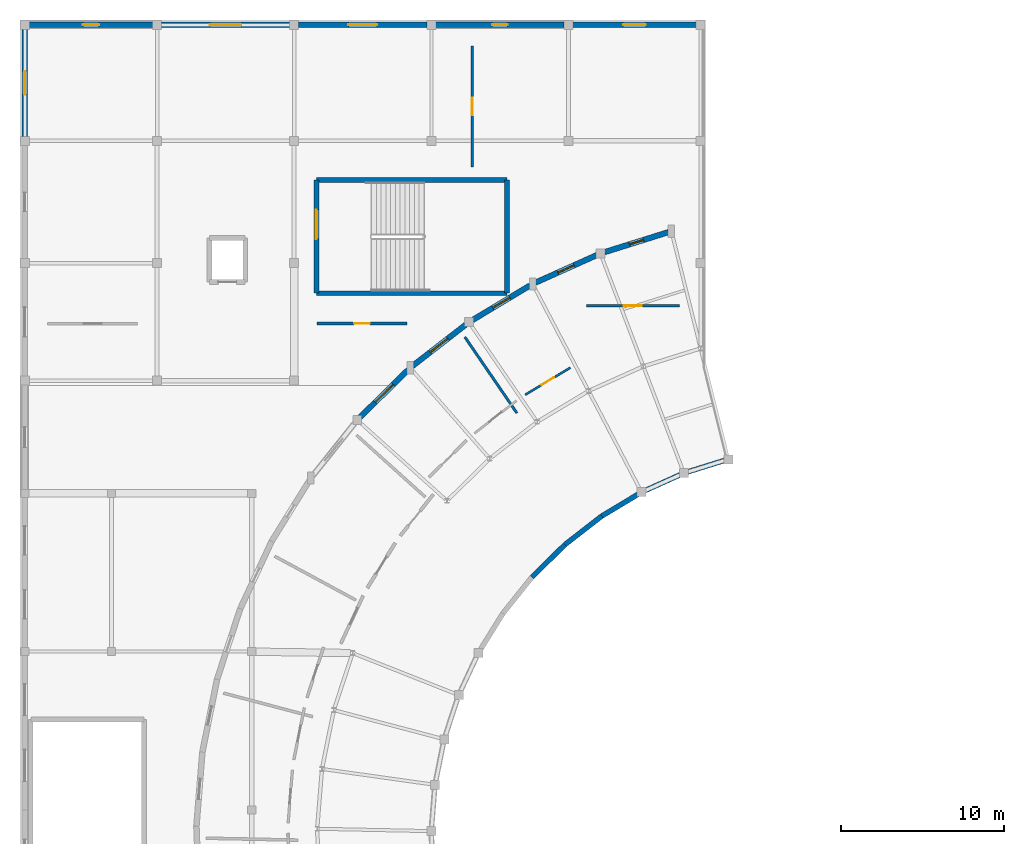
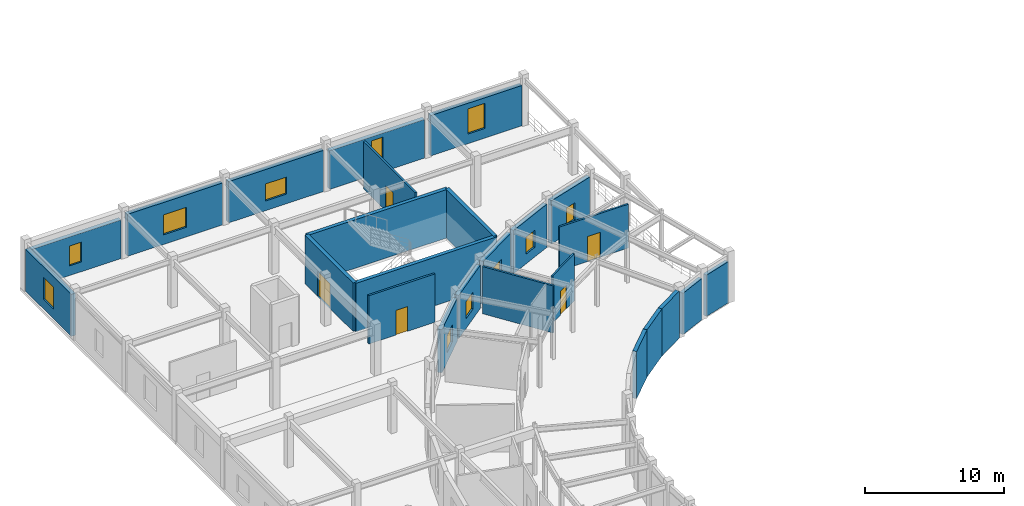
# One storey, part 43 of 60: 25 walls, 11 windows, 5 doors, 16 openings.
"""IFC4 building model written with IfcOpenShell, lengths in metres."""

from ifc_helpers import new_model, si_unit, direction, frame, frame_2d, origin, place, context, subcontext, project, spatial, rectangle, extrude, material, layer, layer_set, type_object, element, fill, save


model = new_model("IFC4")

# Units and contexts
model_context = context("Model", 3, precision=1e-05, world=origin(), true_north=direction((0.0, 1.0)))
body_context = subcontext(model_context, "Body", "Model", "MODEL_VIEW")
ifc_project = project(units=[si_unit("LENGTHUNIT", "METRE"), si_unit("AREAUNIT", "SQUARE_METRE"), si_unit("VOLUMEUNIT", "CUBIC_METRE"), si_unit("PLANEANGLEUNIT", "RADIAN"), si_unit("MASSUNIT", "GRAM", prefix="KILO")], contexts=[model_context])

# Site, building, storey
site_placement = place(None, origin())
site = spatial("IfcSite", under=ifc_project, at=site_placement, CompositionType="ELEMENT")
building_placement = place(site_placement, origin())
building = spatial("IfcBuilding", under=site, at=building_placement, Name="Cinderbank Siding Concert Hall", CompositionType="ELEMENT")
storey_placement = place(building_placement, frame((0.0, 0.0, 14.699951171875)))
storey = spatial("IfcBuildingStorey", under=building, at=storey_placement, Name="L04", CompositionType="ELEMENT", Elevation=14.699951171875)

# Wall, opening, door
ifc_material_1 = material(Name="Reinforced concrete AS 3600 N50 (50 MPa)", Category="concrete")
ifc_layer_1 = layer(ifc_material_1, 0.300048828125)
ifc_layer_set_1 = layer_set([ifc_layer_1], Name="Reinforced concrete AS 3600 N50 (50 MPa)")
wall_type_1 = type_object("IfcWallType", Name="WL-03 Structural Wall 300mm", PredefinedType="SHEAR", material=ifc_layer_set_1)
wall_1_placement = place(storey_placement, frame((24.9599609375, 101.4599609375, 0.0), z_axis=(0.0, 0.0, 1.0), x_axis=(0.0, 1.0, 0.0)))
wall_1 = element("IfcWall", 1, at=wall_1_placement, inside=storey, type_object=wall_type_1, Name="L04 ST-05 Core Wall ENTRY", PredefinedType="SHEAR", context=body_context, shape_type="SweptSolid", body=[
    extrude(rectangle(XDim=6.93994140625, YDim=0.300048828125, at=frame_2d((3.469970703125, 0.0))), origin(), (0.0, 0.0, 1.0), 4.260009765625),
])
opening_1_placement = place(wall_1_placement, frame((3.320068359375, 0.0, 0.0)))
opening_1 = element("IfcOpeningElement", 2, at=opening_1_placement, cuts=wall_1, Name="Opening D-05", PredefinedType="OPENING", context=body_context, shape_type="SweptSolid", body=[
    extrude(rectangle(XDim=1.800048828125, YDim=2.199951171875, at=frame_2d((0.89990234375, 1.10009765625))), frame((0.0, 0.162109375, 0.0), z_axis=(0.0, -1.0, 0.0), x_axis=(1.0, 0.0, 0.0)), (0.0, 0.0, 1.0), 0.323974609375),
])
ifc_material_2 = material(Name="Galvanised sheet steel acoustic fire door assembly", Category="steel")
door_type_1 = type_object("IfcDoorType", Name="D-05 Interior Door 1800x2200", OperationType="DOUBLE_DOOR_SINGLE_SWING", PredefinedType="DOOR", material=ifc_material_2)
door_1_placement = place(opening_1_placement, origin())
door_1 = element("IfcDoor", 3, at=door_1_placement, inside=storey, type_object=door_type_1, Name="L04 ST-05 Fire Stair Door L04-D033", OperationType="DOUBLE_DOOR_SINGLE_SWING", OverallHeight=2.199951171875, OverallWidth=1.800048828125, PredefinedType="DOOR", context=body_context, shape_type="SweptSolid", body=[
    extrude(rectangle(XDim=1.800048828125, YDim=2.199951171875, at=frame_2d((0.89990234375, 1.10009765625))), frame((0.0, 0.02490234375, 0.0), z_axis=(0.0, -1.0, 0.0), x_axis=(1.0, 0.0, 0.0)), (0.0, 0.0, 1.0), 0.050048828125),
])
fill(opening_1, door_1)

# Walls
wall_2_placement = place(storey_placement, frame((36.639892578125, 108.39990234375, 0.0), z_axis=(0.0, 0.0, 1.0), x_axis=(0.0, -1.0, 0.0)))
element("IfcWall", 4, at=wall_2_placement, inside=storey, type_object=wall_type_1, Name="L04 ST-05 Core Wall FAR", PredefinedType="SHEAR", context=body_context, shape_type="SweptSolid", body=[
    extrude(rectangle(XDim=6.93994140625, YDim=0.300048828125, at=frame_2d((3.469970703125, 0.0))), origin(), (0.0, 0.0, 1.0), 4.260009765625),
])
for number, where, z_axis, x_axis, name in (
    (5, (36.639892578125, 101.4599609375, 0.0), (0.0, 0.0, 1.0), (-1.0, 0.0, 0.0), "L04 ST-05 Core Wall SIDE1"),
    (6, (24.9599609375, 108.39990234375, 0.0), (0.0, 0.0, 1.0), (1.0, 0.0, 0.0), "L04 ST-05 Core Wall SIDE2"),
):
    element("IfcWall", number, at=place(storey_placement, frame(where, z_axis=z_axis, x_axis=x_axis)), inside=storey, type_object=wall_type_1, Name=name, PredefinedType="SHEAR", context=body_context, shape_type="SweptSolid", body=[
        extrude(rectangle(XDim=11.679931640625, YDim=0.300048828125, at=frame_2d((5.83984375, 0.0))), origin(), (0.0, 0.0, 1.0), 4.260009765625),
    ])

# Wall, opening, window
ifc_material_3 = material(Name="Clinker clay brickwork masonry AS 3700 (20 MPa)", Category="masonry")
ifc_layer_2 = layer(ifc_material_3, 0.340087890625)
ifc_layer_set_2 = layer_set([ifc_layer_2], Name="Clinker clay brickwork masonry AS 3700 (20 MPa)")
wall_type_2 = type_object("IfcWallType", Name="WL-07 Exterior Wall 340mm", PredefinedType="STANDARD", material=ifc_layer_set_2)
wall_3_placement = place(storey_placement, frame((46.53369140625, 105.2041015625, 0.0), z_axis=(0.0, 0.0, 1.0), x_axis=(-0.954237600376, -0.299049497622, 0.0)))
wall_3 = element("IfcWall", 7, at=wall_3_placement, inside=storey, type_object=wall_type_2, Name="L04 Facade Wall EW-WOUT-L04-01", PredefinedType="STANDARD", context=body_context, shape_type="SweptSolid", body=[
    extrude(rectangle(XDim=4.109619140625, YDim=0.340087890625, at=frame_2d((2.0546875, 0.0))), origin(), (0.0, 0.0, 1.0), 3.797119140625),
])
opening_2_placement = place(wall_3_placement, frame((1.60498046875, 0.0, 0.85009765625)))
opening_2 = element("IfcOpeningElement", 8, at=opening_2_placement, cuts=wall_3, Name="Opening WN-25", PredefinedType="OPENING", context=body_context, shape_type="SweptSolid", body=[
    extrude(rectangle(XDim=0.89990234375, YDim=1.5, at=frame_2d((0.449951171875, 0.75))), frame((0.0, 0.18212890625, 0.0), z_axis=(0.0, -1.0, 0.0), x_axis=(1.0, 0.0, 0.0)), (0.0, 0.0, 1.0), 0.364013671875),
])
ifc_material_4 = material(Name="Double-glazed laminated acoustic glass", Category="glass")
window_type_1 = type_object("IfcWindowType", Name="WN-25 Acoustic Casement Window 900x1500", PartitioningType="DOUBLE_PANEL_VERTICAL", PredefinedType="WINDOW", material=ifc_material_4)
window_1_placement = place(opening_2_placement, origin())
window_1 = element("IfcWindow", 9, at=window_1_placement, inside=storey, type_object=window_type_1, Name="L04 Facade Window #41", OverallHeight=1.5, OverallWidth=0.89990234375, PartitioningType="DOUBLE_PANEL_VERTICAL", PredefinedType="WINDOW", context=body_context, shape_type="SweptSolid", body=[
    extrude(rectangle(XDim=0.89990234375, YDim=1.5, at=frame_2d((0.449951171875, 0.75))), frame((0.0, 0.030029296875, 0.0), z_axis=(0.0, -1.0, 0.0), x_axis=(1.0, 0.0, 0.0)), (0.0, 0.0, 1.0), 0.06005859375),
])
fill(opening_2, window_1)

wall_4_placement = place(storey_placement, frame((42.126708984375, 103.790771484375, 0.0), z_axis=(0.0, 0.0, 1.0), x_axis=(-0.912105926967, -0.409954604794, 0.0)))
wall_4 = element("IfcWall", 10, at=wall_4_placement, inside=storey, type_object=wall_type_2, Name="L04 Facade Wall EW-WOUT-L04-02", PredefinedType="STANDARD", context=body_context, shape_type="SweptSolid", body=[
    extrude(rectangle(XDim=4.10986328125, YDim=0.340087890625, at=frame_2d((2.054931640625, 0.0))), origin(), (0.0, 0.0, 1.0), 3.797119140625),
])
opening_3_placement = place(wall_4_placement, frame((1.514892578125, 0.0, 0.85009765625)))
opening_3 = element("IfcOpeningElement", 11, at=opening_3_placement, cuts=wall_4, Name="Opening WN-26", PredefinedType="OPENING", context=body_context, shape_type="SweptSolid", body=[
    extrude(rectangle(XDim=1.080078125, YDim=1.5, at=frame_2d((0.5400390625, 0.75))), frame((0.0, 0.18212890625, 0.0), z_axis=(0.0, -1.0, 0.0), x_axis=(1.0, 0.0, 0.0)), (0.0, 0.0, 1.0), 0.364013671875),
])
window_type_2 = type_object("IfcWindowType", Name="WN-26 Acoustic Casement Window 1080x1500", PartitioningType="DOUBLE_PANEL_VERTICAL", PredefinedType="WINDOW", material=ifc_material_4)
window_2_placement = place(opening_3_placement, origin())
window_2 = element("IfcWindow", 12, at=window_2_placement, inside=storey, type_object=window_type_2, Name="L04 Facade Window #42", OverallHeight=1.5, OverallWidth=1.080078125, PartitioningType="DOUBLE_PANEL_VERTICAL", PredefinedType="WINDOW", context=body_context, shape_type="SweptSolid", body=[
    extrude(rectangle(XDim=1.080078125, YDim=1.5, at=frame_2d((0.5400390625, 0.75))), frame((0.0, 0.030029296875, 0.0), z_axis=(0.0, -1.0, 0.0), x_axis=(1.0, 0.0, 0.0)), (0.0, 0.0, 1.0), 0.06005859375),
])
fill(opening_3, window_2)

wall_5_placement = place(storey_placement, frame((34.5283203125, 99.818359375, 0.0), z_axis=(0.0, 0.0, 1.0), x_axis=(0.85717299245, 0.515028602131, 0.0)))
wall_5 = element("IfcWall", 13, at=wall_5_placement, inside=storey, type_object=wall_type_2, Name="L04 Facade Wall EW-WOUT-L04-03", PredefinedType="STANDARD", context=body_context, shape_type="SweptSolid", body=[
    extrude(rectangle(XDim=4.109375, YDim=0.340087890625, at=frame_2d((2.0546875, 0.0))), origin(), (0.0, 0.0, 1.0), 3.797119140625),
])
opening_4_placement = place(wall_5_placement, frame((1.44482421875, 0.0, 0.85009765625)))
opening_4 = element("IfcOpeningElement", 14, at=opening_4_placement, cuts=wall_5, Name="Opening WN-27", PredefinedType="OPENING", context=body_context, shape_type="SweptSolid", body=[
    extrude(rectangle(XDim=1.219970703125, YDim=1.5, at=frame_2d((0.60986328125, 0.75))), frame((0.0, 0.18212890625, 0.0), z_axis=(0.0, -1.0, 0.0), x_axis=(1.0, 0.0, 0.0)), (0.0, 0.0, 1.0), 0.364013671875),
])
window_type_3 = type_object("IfcWindowType", Name="WN-27 Acoustic Casement Window 1220x1500", PartitioningType="DOUBLE_PANEL_VERTICAL", PredefinedType="WINDOW", material=ifc_material_4)
window_3_placement = place(opening_4_placement, origin())
window_3 = element("IfcWindow", 15, at=window_3_placement, inside=storey, type_object=window_type_3, Name="L04 Facade Window #43", OverallHeight=1.5, OverallWidth=1.219970703125, PartitioningType="DOUBLE_PANEL_VERTICAL", PredefinedType="WINDOW", context=body_context, shape_type="SweptSolid", body=[
    extrude(rectangle(XDim=1.219970703125, YDim=1.5, at=frame_2d((0.60986328125, 0.75))), frame((0.0, 0.030029296875, 0.0), z_axis=(0.0, -1.0, 0.0), x_axis=(1.0, 0.0, 0.0)), (0.0, 0.0, 1.0), 0.06005859375),
])
fill(opening_4, window_3)

wall_6_placement = place(storey_placement, frame((34.099853515625, 99.52490234375, 0.0), z_axis=(0.0, 0.0, 1.0), x_axis=(-0.790164022378, -0.612895437852, 0.0)))
wall_6 = element("IfcWall", 16, at=wall_6_placement, inside=storey, type_object=wall_type_2, Name="L04 Facade Wall EW-WOUT-L04-04", PredefinedType="STANDARD", context=body_context, shape_type="SweptSolid", body=[
    extrude(rectangle(XDim=4.109619140625, YDim=0.340087890625, at=frame_2d((2.0546875, 0.0))), origin(), (0.0, 0.0, 1.0), 3.797119140625),
])
opening_5_placement = place(wall_6_placement, frame((1.375, 0.0, 0.85009765625)))
opening_5 = element("IfcOpeningElement", 17, at=opening_5_placement, cuts=wall_6, Name="Opening WN-28", PredefinedType="OPENING", context=body_context, shape_type="SweptSolid", body=[
    extrude(rectangle(XDim=1.360107421875, YDim=1.5, at=frame_2d((0.68017578125, 0.75))), frame((0.0, 0.18212890625, 0.0), z_axis=(0.0, -1.0, 0.0), x_axis=(1.0, 0.0, 0.0)), (0.0, 0.0, 1.0), 0.364013671875),
])
window_type_4 = type_object("IfcWindowType", Name="WN-28 Acoustic Casement Window 1360x1500", PartitioningType="DOUBLE_PANEL_VERTICAL", PredefinedType="WINDOW", material=ifc_material_4)
window_4_placement = place(opening_5_placement, origin())
window_4 = element("IfcWindow", 18, at=window_4_placement, inside=storey, type_object=window_type_4, Name="L04 Facade Window #44", OverallHeight=1.5, OverallWidth=1.360107421875, PartitioningType="DOUBLE_PANEL_VERTICAL", PredefinedType="WINDOW", context=body_context, shape_type="SweptSolid", body=[
    extrude(rectangle(XDim=1.360107421875, YDim=1.5, at=frame_2d((0.68017578125, 0.75))), frame((0.0, 0.030029296875, 0.0), z_axis=(0.0, -1.0, 0.0), x_axis=(1.0, 0.0, 0.0)), (0.0, 0.0, 1.0), 0.06005859375),
])
fill(opening_5, window_4)

wall_7_placement = place(storey_placement, frame((30.57470703125, 96.7626953125, 0.0), z_axis=(0.0, 0.0, 1.0), x_axis=(-0.712079133949, -0.702099214495, 0.0)))
wall_7 = element("IfcWall", 19, at=wall_7_placement, inside=storey, type_object=wall_type_2, Name="L04 Facade Wall EW-WOUT-L04-05", PredefinedType="STANDARD", context=body_context, shape_type="SweptSolid", body=[
    extrude(rectangle(XDim=4.10986328125, YDim=0.340087890625, at=frame_2d((2.054931640625, 0.0))), origin(), (0.0, 0.0, 1.0), 3.797119140625),
])
opening_6_placement = place(wall_7_placement, frame((1.27978515625, 0.0, 0.85009765625)))
opening_6 = element("IfcOpeningElement", 20, at=opening_6_placement, cuts=wall_7, Name="Opening WN-29", PredefinedType="OPENING", context=body_context, shape_type="SweptSolid", body=[
    extrude(rectangle(XDim=1.550048828125, YDim=1.5, at=frame_2d((0.77490234375, 0.75))), frame((0.0, 0.18212890625, 0.0), z_axis=(0.0, -1.0, 0.0), x_axis=(1.0, 0.0, 0.0)), (0.0, 0.0, 1.0), 0.364013671875),
])
window_type_5 = type_object("IfcWindowType", Name="WN-29 Acoustic Casement Window 1550x1500", PartitioningType="DOUBLE_PANEL_VERTICAL", PredefinedType="WINDOW", material=ifc_material_4)
window_5_placement = place(opening_6_placement, origin())
window_5 = element("IfcWindow", 21, at=window_5_placement, inside=storey, type_object=window_type_5, Name="L04 Facade Window #45", OverallHeight=1.5, OverallWidth=1.550048828125, PartitioningType="DOUBLE_PANEL_VERTICAL", PredefinedType="WINDOW", context=body_context, shape_type="SweptSolid", body=[
    extrude(rectangle(XDim=1.550048828125, YDim=1.5, at=frame_2d((0.77490234375, 0.75))), frame((0.0, 0.030029296875, 0.0), z_axis=(0.0, -1.0, 0.0), x_axis=(1.0, 0.0, 0.0)), (0.0, 0.0, 1.0), 0.06005859375),
])
fill(opening_6, window_5)

wall_8_placement = place(storey_placement, frame((7.10009765625, 111.06005859375, 0.0), z_axis=(0.0, 0.0, 1.0), x_axis=(0.0, 1.0, 0.0)))
wall_8 = element("IfcWall", 22, at=wall_8_placement, inside=storey, type_object=wall_type_2, Name="L04 Facade Wall EW-NW-W3-L04", PredefinedType="STANDARD", context=body_context, shape_type="SweptSolid", body=[
    extrude(rectangle(XDim=6.579833984375, YDim=0.340087890625, at=frame_2d((3.2900390625, 0.0))), origin(), (0.0, 0.0, 1.0), 3.689697265625),
])
opening_7_placement = place(wall_8_placement, frame((2.56494140625, 0.0, 0.85009765625)))
opening_7 = element("IfcOpeningElement", 23, at=opening_7_placement, cuts=wall_8, Name="Opening WN-14", PredefinedType="OPENING", context=body_context, shape_type="SweptSolid", body=[
    extrude(rectangle(XDim=1.449951171875, YDim=1.949951171875, at=frame_2d((0.72509765625, 0.97509765625))), frame((0.0, 0.18212890625, 0.0), z_axis=(0.0, -1.0, 0.0), x_axis=(1.0, 0.0, 0.0)), (0.0, 0.0, 1.0), 0.364013671875),
])
window_type_6 = type_object("IfcWindowType", Name="WN-14 Acoustic Casement Window 1450x1950", PartitioningType="DOUBLE_PANEL_VERTICAL", PredefinedType="WINDOW", material=ifc_material_4)
window_6_placement = place(opening_7_placement, origin())
window_6 = element("IfcWindow", 24, at=window_6_placement, inside=storey, type_object=window_type_6, Name="L04 Facade Window #122", OverallHeight=1.949951171875, OverallWidth=1.449951171875, PartitioningType="DOUBLE_PANEL_VERTICAL", PredefinedType="WINDOW", context=body_context, shape_type="SweptSolid", body=[
    extrude(rectangle(XDim=1.449951171875, YDim=1.949951171875, at=frame_2d((0.72509765625, 0.97509765625))), frame((0.0, 0.030029296875, 0.0), z_axis=(0.0, -1.0, 0.0), x_axis=(1.0, 0.0, 0.0)), (0.0, 0.0, 1.0), 0.06005859375),
])
fill(opening_7, window_6)

wall_9_placement = place(storey_placement, frame((7.360107421875, 117.89990234375, 0.0), z_axis=(0.0, 0.0, 1.0), x_axis=(1.0, 0.0, 0.0)))
wall_9 = element("IfcWall", 25, at=wall_9_placement, inside=storey, type_object=wall_type_2, Name="L04 Facade Wall EW-NW-N0-L04", PredefinedType="STANDARD", context=body_context, shape_type="SweptSolid", body=[
    extrude(rectangle(XDim=7.579833984375, YDim=0.340087890625, at=frame_2d((3.7900390625, 0.0))), origin(), (0.0, 0.0, 1.0), 3.39697265625),
])
opening_8_placement = place(wall_9_placement, frame((3.2900390625, 0.0, 0.85009765625)))
opening_8 = element("IfcOpeningElement", 26, at=opening_8_placement, cuts=wall_9, Name="Opening WN-18", PredefinedType="OPENING", context=body_context, shape_type="SweptSolid", body=[
    extrude(rectangle(XDim=1.0, YDim=1.75, at=frame_2d((0.5, 0.875))), frame((0.0, 0.18212890625, 0.0), z_axis=(0.0, -1.0, 0.0), x_axis=(1.0, 0.0, 0.0)), (0.0, 0.0, 1.0), 0.364013671875),
])
window_type_7 = type_object("IfcWindowType", Name="WN-18 Acoustic Casement Window 1000x1750", PartitioningType="DOUBLE_PANEL_VERTICAL", PredefinedType="WINDOW", material=ifc_material_4)
window_7_placement = place(opening_8_placement, origin())
window_7 = element("IfcWindow", 27, at=window_7_placement, inside=storey, type_object=window_type_7, Name="L04 Facade Window #126", OverallHeight=1.75, OverallWidth=1.0, PartitioningType="DOUBLE_PANEL_VERTICAL", PredefinedType="WINDOW", context=body_context, shape_type="SweptSolid", body=[
    extrude(rectangle(XDim=1.0, YDim=1.75, at=frame_2d((0.5, 0.875))), frame((0.0, 0.030029296875, 0.0), z_axis=(0.0, -1.0, 0.0), x_axis=(1.0, 0.0, 0.0)), (0.0, 0.0, 1.0), 0.06005859375),
])
fill(opening_8, window_7)

wall_10_placement = place(storey_placement, frame((15.4599609375, 117.89990234375, 0.0), z_axis=(0.0, 0.0, 1.0), x_axis=(1.0, 0.0, 0.0)))
wall_10 = element("IfcWall", 28, at=wall_10_placement, inside=storey, type_object=wall_type_2, Name="L04 Facade Wall EW-NW-N1-L04", PredefinedType="STANDARD", context=body_context, shape_type="SweptSolid", body=[
    extrude(rectangle(XDim=7.880126953125, YDim=0.340087890625, at=frame_2d((3.93994140625, 0.0))), origin(), (0.0, 0.0, 1.0), 3.689697265625),
])
opening_9_placement = place(wall_10_placement, frame((2.97998046875, 0.0, 0.85009765625)))
opening_9 = element("IfcOpeningElement", 29, at=opening_9_placement, cuts=wall_10, Name="Opening WN-24", PredefinedType="OPENING", context=body_context, shape_type="SweptSolid", body=[
    extrude(rectangle(XDim=1.919921875, YDim=1.75, at=frame_2d((0.9599609375, 0.875))), frame((0.0, 0.18212890625, 0.0), z_axis=(0.0, -1.0, 0.0), x_axis=(1.0, 0.0, 0.0)), (0.0, 0.0, 1.0), 0.364013671875),
])
window_type_8 = type_object("IfcWindowType", Name="WN-24 Acoustic Casement Window 1920x1750", PartitioningType="DOUBLE_PANEL_VERTICAL", PredefinedType="WINDOW", material=ifc_material_4)
window_8_placement = place(opening_9_placement, origin())
window_8 = element("IfcWindow", 30, at=window_8_placement, inside=storey, type_object=window_type_8, Name="L04 Facade Window #132", OverallHeight=1.75, OverallWidth=1.919921875, PartitioningType="DOUBLE_PANEL_VERTICAL", PredefinedType="WINDOW", context=body_context, shape_type="SweptSolid", body=[
    extrude(rectangle(XDim=1.919921875, YDim=1.75, at=frame_2d((0.9599609375, 0.875))), frame((0.0, 0.030029296875, 0.0), z_axis=(0.0, -1.0, 0.0), x_axis=(1.0, 0.0, 0.0)), (0.0, 0.0, 1.0), 0.06005859375),
])
fill(opening_9, window_8)

wall_11_placement = place(storey_placement, frame((23.860107421875, 117.89990234375, 0.0), z_axis=(0.0, 0.0, 1.0), x_axis=(1.0, 0.0, 0.0)))
wall_11 = element("IfcWall", 31, at=wall_11_placement, inside=storey, type_object=wall_type_2, Name="L04 Facade Wall EW-NW-N1B-L04", PredefinedType="STANDARD", context=body_context, shape_type="SweptSolid", body=[
    extrude(rectangle(XDim=7.8798828125, YDim=0.340087890625, at=frame_2d((3.93994140625, 0.0))), origin(), (0.0, 0.0, 1.0), 3.618896484375),
])
opening_10_placement = place(wall_11_placement, frame((3.06494140625, 0.0, 0.85009765625)))
opening_10 = element("IfcOpeningElement", 32, at=opening_10_placement, cuts=wall_11, Name="Opening WN-30", PredefinedType="OPENING", context=body_context, shape_type="SweptSolid", body=[
    extrude(rectangle(XDim=1.75, YDim=1.5, at=frame_2d((0.875, 0.75))), frame((0.0, 0.18212890625, 0.0), z_axis=(0.0, -1.0, 0.0), x_axis=(1.0, 0.0, 0.0)), (0.0, 0.0, 1.0), 0.364013671875),
])
window_type_9 = type_object("IfcWindowType", Name="WN-30 Acoustic Casement Window 1750x1500", PartitioningType="DOUBLE_PANEL_VERTICAL", PredefinedType="WINDOW", material=ifc_material_4)
window_9_placement = place(opening_10_placement, origin())
window_9 = element("IfcWindow", 33, at=window_9_placement, inside=storey, type_object=window_type_9, Name="L04 Facade Window #137", OverallHeight=1.5, OverallWidth=1.75, PartitioningType="DOUBLE_PANEL_VERTICAL", PredefinedType="WINDOW", context=body_context, shape_type="SweptSolid", body=[
    extrude(rectangle(XDim=1.75, YDim=1.5, at=frame_2d((0.875, 0.75))), frame((0.0, 0.030029296875, 0.0), z_axis=(0.0, -1.0, 0.0), x_axis=(1.0, 0.0, 0.0)), (0.0, 0.0, 1.0), 0.06005859375),
])
fill(opening_10, window_9)

wall_12_placement = place(storey_placement, frame((32.260009765625, 117.89990234375, 0.0), z_axis=(0.0, 0.0, 1.0), x_axis=(1.0, 0.0, 0.0)))
wall_12 = element("IfcWall", 34, at=wall_12_placement, inside=storey, type_object=wall_type_2, Name="L04 Facade Wall EW-NW-N2-L04", PredefinedType="STANDARD", context=body_context, shape_type="SweptSolid", body=[
    extrude(rectangle(XDim=7.8798828125, YDim=0.340087890625, at=frame_2d((3.93994140625, 0.0))), origin(), (0.0, 0.0, 1.0), 3.39697265625),
])
opening_11_placement = place(wall_12_placement, frame((3.465087890625, 0.0, 0.85009765625)))
opening_11 = element("IfcOpeningElement", 35, at=opening_11_placement, cuts=wall_12, Name="Opening WN-02", PredefinedType="OPENING", context=body_context, shape_type="SweptSolid", body=[
    extrude(rectangle(XDim=0.949951171875, YDim=2.199951171875, at=frame_2d((0.47509765625, 1.10009765625))), frame((0.0, 0.18212890625, 0.0), z_axis=(0.0, -1.0, 0.0), x_axis=(1.0, 0.0, 0.0)), (0.0, 0.0, 1.0), 0.364013671875),
])
window_type_10 = type_object("IfcWindowType", Name="WN-02 Acoustic Casement Window 950x2200", PartitioningType="DOUBLE_PANEL_VERTICAL", PredefinedType="WINDOW", material=ifc_material_4)
window_10_placement = place(opening_11_placement, origin())
window_10 = element("IfcWindow", 36, at=window_10_placement, inside=storey, type_object=window_type_10, Name="L04 Facade Window #140", OverallHeight=2.199951171875, OverallWidth=0.949951171875, PartitioningType="DOUBLE_PANEL_VERTICAL", PredefinedType="WINDOW", context=body_context, shape_type="SweptSolid", body=[
    extrude(rectangle(XDim=0.949951171875, YDim=2.199951171875, at=frame_2d((0.47509765625, 1.10009765625))), frame((0.0, 0.030029296875, 0.0), z_axis=(0.0, -1.0, 0.0), x_axis=(1.0, 0.0, 0.0)), (0.0, 0.0, 1.0), 0.06005859375),
])
fill(opening_11, window_10)

wall_13_placement = place(storey_placement, frame((40.659912109375, 117.89990234375, 0.0), z_axis=(0.0, 0.0, 1.0), x_axis=(1.0, 0.0, 0.0)))
wall_13 = element("IfcWall", 37, at=wall_13_placement, inside=storey, type_object=wall_type_2, Name="L04 Facade Wall EW-NW-N3-L04", PredefinedType="STANDARD", context=body_context, shape_type="SweptSolid", body=[
    extrude(rectangle(XDim=7.580078125, YDim=0.340087890625, at=frame_2d((3.7900390625, 0.0))), origin(), (0.0, 0.0, 1.0), 3.544921875),
])
opening_12_placement = place(wall_13_placement, frame((3.090087890625, 0.0, 0.85009765625)))
opening_12 = element("IfcOpeningElement", 38, at=opening_12_placement, cuts=wall_13, Name="Opening WN-06", PredefinedType="OPENING", context=body_context, shape_type="SweptSolid", body=[
    extrude(rectangle(XDim=1.39990234375, YDim=2.199951171875, at=frame_2d((0.699951171875, 1.10009765625))), frame((0.0, 0.18212890625, 0.0), z_axis=(0.0, -1.0, 0.0), x_axis=(1.0, 0.0, 0.0)), (0.0, 0.0, 1.0), 0.364013671875),
])
window_type_11 = type_object("IfcWindowType", Name="WN-06 Acoustic Casement Window 1400x2200", PartitioningType="DOUBLE_PANEL_VERTICAL", PredefinedType="WINDOW", material=ifc_material_4)
window_11_placement = place(opening_12_placement, origin())
window_11 = element("IfcWindow", 39, at=window_11_placement, inside=storey, type_object=window_type_11, Name="L04 Facade Window #144", OverallHeight=2.199951171875, OverallWidth=1.39990234375, PartitioningType="DOUBLE_PANEL_VERTICAL", PredefinedType="WINDOW", context=body_context, shape_type="SweptSolid", body=[
    extrude(rectangle(XDim=1.39990234375, YDim=2.199951171875, at=frame_2d((0.699951171875, 1.10009765625))), frame((0.0, 0.030029296875, 0.0), z_axis=(0.0, -1.0, 0.0), x_axis=(1.0, 0.0, 0.0)), (0.0, 0.0, 1.0), 0.06005859375),
])
fill(opening_12, window_11)

# Walls
ifc_layer_3 = layer(ifc_material_3, 0.31005859375)
ifc_layer_set_3 = layer_set([ifc_layer_3], Name="Clinker clay brickwork masonry AS 3700 (20 MPa)")
wall_type_3 = type_object("IfcWallType", Name="WL-08 Exterior Wall 310mm", PredefinedType="STANDARD", material=ifc_layer_set_3)
wall_14_placement = place(storey_placement, frame((49.94580078125, 91.209228515625, 0.0), z_axis=(0.0, 0.0, 1.0), x_axis=(-0.954266880205, -0.29895605253, 0.0)))
element("IfcWall", 40, at=wall_14_placement, inside=storey, type_object=wall_type_3, Name="L04 Facade Wall EW-WIN-L04-01", PredefinedType="STANDARD", context=body_context, shape_type="SweptSolid", body=[
    extrude(rectangle(XDim=2.32666015625, YDim=0.31005859375, at=frame_2d((1.163330078125, 0.0))), origin(), (0.0, 0.0, 1.0), 3.626953125),
])
wall_15_placement = place(storey_placement, frame((47.240234375, 90.3291015625, 0.0), z_axis=(0.0, 0.0, 1.0), x_axis=(-0.912133443948, -0.409893376905, 0.0)))
element("IfcWall", 41, at=wall_15_placement, inside=storey, type_object=wall_type_3, Name="L04 Facade Wall EW-WIN-L04-02", PredefinedType="STANDARD", context=body_context, shape_type="SweptSolid", body=[
    extrude(rectangle(XDim=2.326416015625, YDim=0.31005859375, at=frame_2d((1.1630859375, 0.0))), origin(), (0.0, 0.0, 1.0), 3.626953125),
])
wall_16_placement = place(storey_placement, frame((44.657958984375, 89.135009765625, 0.0), z_axis=(0.0, 0.0, 1.0), x_axis=(-0.857142934462, -0.515078624971, 0.0)))
element("IfcWall", 42, at=wall_16_placement, inside=storey, type_object=wall_type_3, Name="L04 Facade Wall EW-WIN-L04-03", PredefinedType="STANDARD", context=body_context, shape_type="SweptSolid", body=[
    extrude(rectangle(XDim=2.58642578125, YDim=0.31005859375, at=frame_2d((1.293212890625, 0.0))), origin(), (0.0, 0.0, 1.0), 4.14501953125),
])
for number, where, z_axis, x_axis, name in (
    (43, (42.44091796875, 87.802734375, 0.0), (0.0, 0.0, 1.0), (-0.790201154241, -0.612847563295, 0.0), "L04 Facade Wall EW-WIN-L04-04"),
    (44, (40.19140625, 86.05810546875, 0.0), (0.0, 0.0, 1.0), (-0.711978195159, -0.702201573352, 0.0), "L04 Facade Wall EW-WIN-L04-05"),
):
    element("IfcWall", number, at=place(storey_placement, frame(where, z_axis=z_axis, x_axis=x_axis)), inside=storey, type_object=wall_type_3, Name=name, PredefinedType="STANDARD", context=body_context, shape_type="SweptSolid", body=[
        extrude(rectangle(XDim=2.8466796875, YDim=0.31005859375, at=frame_2d((1.42333984375, 0.0))), origin(), (0.0, 0.0, 1.0), 4.14501953125),
    ])
ifc_material_5 = material(Name="Acoustic plasterboard on light-gauge steel studs", Category="gypsum")
ifc_layer_4 = layer(ifc_material_5, 0.159912109375)
ifc_layer_set_4 = layer_set([ifc_layer_4], Name="Acoustic plasterboard on light-gauge steel studs")
wall_type_4 = type_object("IfcWallType", Name="WL-14 Interior Wall 160mm", PredefinedType="PARTITIONING", material=ifc_layer_set_4)
wall_17_placement = place(storey_placement, frame((37.2421875, 94.12060546875, 0.0), z_axis=(0.0, 0.0, 1.0), x_axis=(-0.5649286392, 0.825139765501, 0.0)))
element("IfcWall", 45, at=wall_17_placement, inside=storey, type_object=wall_type_4, Name="L04 Radial Studio Demising Wall W04", PredefinedType="PARTITIONING", context=body_context, shape_type="SweptSolid", body=[
    extrude(rectangle(XDim=5.650146484375, YDim=0.159912109375, at=frame_2d((2.8251953125, 0.0))), origin(), (0.0, 0.0, 1.0), 4.14501953125),
])

# Wall, opening, door
wall_18_placement = place(storey_placement, frame((41.5, 100.699951171875, 0.0), z_axis=(0.0, 0.0, 1.0), x_axis=(1.0, 0.0, 0.0)))
wall_18 = element("IfcWall", 46, at=wall_18_placement, inside=storey, type_object=wall_type_4, Name="L04 Partition Executive Boardroom", PredefinedType="PARTITIONING", context=body_context, shape_type="SweptSolid", body=[
    extrude(rectangle(XDim=5.699951171875, YDim=0.159912109375, at=frame_2d((2.85009765625, 0.0))), origin(), (0.0, 0.0, 1.0), 3.84912109375),
])
opening_13_placement = place(wall_18_placement, frame((2.300048828125, 0.0, 0.0)))
opening_13 = element("IfcOpeningElement", 47, at=opening_13_placement, cuts=wall_18, Name="Opening D-04", PredefinedType="OPENING", context=body_context, shape_type="SweptSolid", body=[
    extrude(rectangle(XDim=1.10009765625, YDim=2.199951171875, at=frame_2d((0.550048828125, 1.10009765625))), frame((0.0, 0.091796875, 0.0), z_axis=(0.0, -1.0, 0.0), x_axis=(1.0, 0.0, 0.0)), (0.0, 0.0, 1.0), 0.183837890625),
])
ifc_material_6 = material(Name="Solid-core spotted gum acoustic timber", Category="wood")
door_type_2 = type_object("IfcDoorType", Name="D-04 Interior Door 1100x2200", OperationType="NOTDEFINED", PredefinedType="DOOR", material=ifc_material_6)
door_2_placement = place(opening_13_placement, origin())
door_2 = element("IfcDoor", 48, at=door_2_placement, inside=storey, type_object=door_type_2, Name="L04 Executive Boardroom Door L04-D280", OperationType="SINGLE_SWING_RIGHT", OverallHeight=2.199951171875, OverallWidth=1.10009765625, PredefinedType="DOOR", context=body_context, shape_type="SweptSolid", body=[
    extrude(rectangle(XDim=1.10009765625, YDim=2.199951171875, at=frame_2d((0.550048828125, 1.10009765625))), frame((0.0, 0.02490234375, 0.0), z_axis=(0.0, -1.0, 0.0), x_axis=(1.0, 0.0, 0.0)), (0.0, 0.0, 1.0), 0.050048828125),
])
fill(opening_13, door_2)

wall_19_placement = place(storey_placement, frame((34.5, 109.199951171875, 0.0), z_axis=(0.0, 0.0, 1.0), x_axis=(0.0, 1.0, 0.0)))
wall_19 = element("IfcWall", 49, at=wall_19_placement, inside=storey, type_object=wall_type_4, Name="L04 Partition Executive Boardroom West", PredefinedType="PARTITIONING", context=body_context, shape_type="SweptSolid", body=[
    extrude(rectangle(XDim=7.400146484375, YDim=0.159912109375, at=frame_2d((3.7001953125, 0.0))), origin(), (0.0, 0.0, 1.0), 4.14501953125),
])
opening_14_placement = place(wall_19_placement, frame((3.14990234375, 0.0, 0.0)))
opening_14 = element("IfcOpeningElement", 50, at=opening_14_placement, cuts=wall_19, Name="Opening D-04", PredefinedType="OPENING", context=body_context, shape_type="SweptSolid", body=[
    extrude(rectangle(XDim=1.10009765625, YDim=2.199951171875, at=frame_2d((0.550048828125, 1.10009765625))), frame((0.0, 0.091796875, 0.0), z_axis=(0.0, -1.0, 0.0), x_axis=(1.0, 0.0, 0.0)), (0.0, 0.0, 1.0), 0.183837890625),
])
door_3_placement = place(opening_14_placement, origin())
door_3 = element("IfcDoor", 51, at=door_3_placement, inside=storey, type_object=door_type_2, Name="L04 Executive Boardroom West Door L04-D281", OperationType="SINGLE_SWING_LEFT", OverallHeight=2.199951171875, OverallWidth=1.10009765625, PredefinedType="DOOR", context=body_context, shape_type="SweptSolid", body=[
    extrude(rectangle(XDim=1.10009765625, YDim=2.199951171875, at=frame_2d((0.550048828125, 1.10009765625))), frame((0.0, 0.02490234375, 0.0), z_axis=(0.0, -1.0, 0.0), x_axis=(1.0, 0.0, 0.0)), (0.0, 0.0, 1.0), 0.050048828125),
])
fill(opening_14, door_3)

ifc_layer_5 = layer(ifc_material_5, 0.1298828125)
ifc_layer_set_5 = layer_set([ifc_layer_5], Name="Acoustic plasterboard on light-gauge steel studs")
wall_type_5 = type_object("IfcWallType", Name="WL-17 Interior Wall 130mm", PredefinedType="PARTITIONING", material=ifc_layer_set_5)
wall_20_placement = place(storey_placement, frame((40.522216796875, 96.90185546875, 0.0), z_axis=(0.0, 0.0, 1.0), x_axis=(-0.857160006547, -0.515050214229, 0.0)))
wall_20 = element("IfcWall", 52, at=wall_20_placement, inside=storey, type_object=wall_type_5, Name="L04 Partition Studio Bay W03", PredefinedType="PARTITIONING", context=body_context, shape_type="SweptSolid", body=[
    extrude(rectangle(XDim=3.237060546875, YDim=0.1298828125, at=frame_2d((1.61865234375, 0.0))), origin(), (0.0, 0.0, 1.0), 4.14501953125),
])
opening_15_placement = place(wall_20_placement, frame((1.16845703125, 0.0, 0.0)))
opening_15 = element("IfcOpeningElement", 53, at=opening_15_placement, cuts=wall_20, Name="Opening D-15", PredefinedType="OPENING", context=body_context, shape_type="SweptSolid", body=[
    extrude(rectangle(XDim=0.89990234375, YDim=2.10009765625, at=frame_2d((0.449951171875, 1.050048828125))), frame((0.0, 0.076904296875, 0.0), z_axis=(0.0, -1.0, 0.0), x_axis=(1.0, 0.0, 0.0)), (0.0, 0.0, 1.0), 0.15380859375),
])
door_type_3 = type_object("IfcDoorType", Name="D-15 Interior Door 900x2100", OperationType="NOTDEFINED", PredefinedType="DOOR", material=ifc_material_6)
door_4_placement = place(opening_15_placement, origin())
door_4 = element("IfcDoor", 54, at=door_4_placement, inside=storey, type_object=door_type_3, Name="L04 Studio Bay W03 Door L04-D223", OperationType="SINGLE_SWING_RIGHT", OverallHeight=2.10009765625, OverallWidth=0.89990234375, PredefinedType="DOOR", context=body_context, shape_type="SweptSolid", body=[
    extrude(rectangle(XDim=0.89990234375, YDim=2.10009765625, at=frame_2d((0.449951171875, 1.050048828125))), frame((0.0, 0.02490234375, 0.0), z_axis=(0.0, -1.0, 0.0), x_axis=(1.0, 0.0, 0.0)), (0.0, 0.0, 1.0), 0.050048828125),
])
fill(opening_15, door_4)

ifc_layer_6 = layer(ifc_material_5, 0.169921875)
ifc_layer_set_6 = layer_set([ifc_layer_6], Name="Acoustic plasterboard on light-gauge steel studs")
wall_type_6 = type_object("IfcWallType", Name="WL-19 Interior Wall 170mm", PredefinedType="PARTITIONING", material=ifc_layer_set_6)
wall_21_placement = place(storey_placement, frame((25.0, 99.60009765625, 0.0), z_axis=(0.0, 0.0, 1.0), x_axis=(1.0, 0.0, 0.0)))
wall_21 = element("IfcWall", 55, at=wall_21_placement, inside=storey, type_object=wall_type_6, Name="L04 Partition Artistic Admin East", PredefinedType="PARTITIONING", context=body_context, shape_type="SweptSolid", body=[
    extrude(rectangle(XDim=5.5, YDim=0.169921875, at=frame_2d((2.75, 0.0))), origin(), (0.0, 0.0, 1.0), 4.2451171875),
])
opening_16_placement = place(wall_21_placement, frame((2.27001953125, 0.0, 0.0)))
opening_16 = element("IfcOpeningElement", 56, at=opening_16_placement, cuts=wall_21, Name="Opening D-16", PredefinedType="OPENING", context=body_context, shape_type="SweptSolid", body=[
    extrude(rectangle(XDim=0.9599609375, YDim=2.179931640625, at=frame_2d((0.47998046875, 1.08984375))), frame((0.0, 0.096923828125, 0.0), z_axis=(0.0, -1.0, 0.0), x_axis=(1.0, 0.0, 0.0)), (0.0, 0.0, 1.0), 0.19384765625),
])
door_type_4 = type_object("IfcDoorType", Name="D-16 Interior Door 960x2180", OperationType="NOTDEFINED", PredefinedType="DOOR", material=ifc_material_6)
door_5_placement = place(opening_16_placement, origin())
door_5 = element("IfcDoor", 57, at=door_5_placement, inside=storey, type_object=door_type_4, Name="L04 Artistic Admin East Door L04-D279", OperationType="SINGLE_SWING_LEFT", OverallHeight=2.179931640625, OverallWidth=0.9599609375, PredefinedType="DOOR", context=body_context, shape_type="SweptSolid", body=[
    extrude(rectangle(XDim=0.9599609375, YDim=2.179931640625, at=frame_2d((0.47998046875, 1.08984375))), frame((0.0, 0.02490234375, 0.0), z_axis=(0.0, -1.0, 0.0), x_axis=(1.0, 0.0, 0.0)), (0.0, 0.0, 1.0), 0.050048828125),
])
fill(opening_16, door_5)

save(model, "model.ifc")
